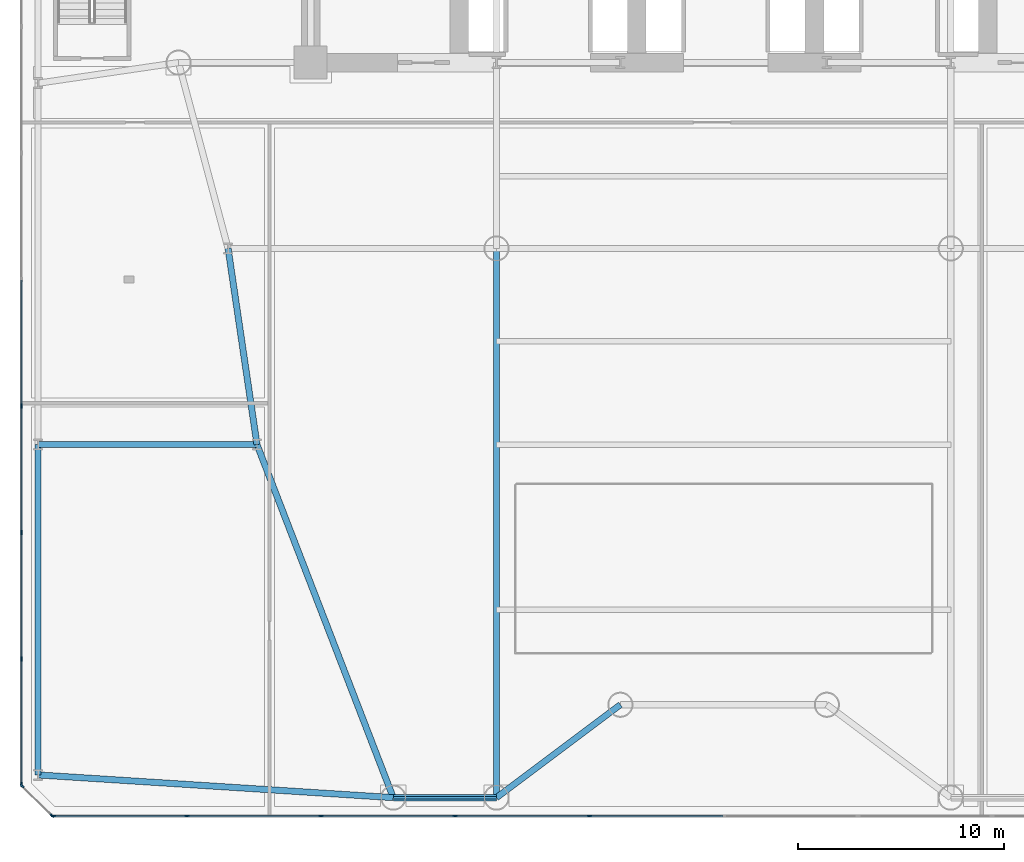
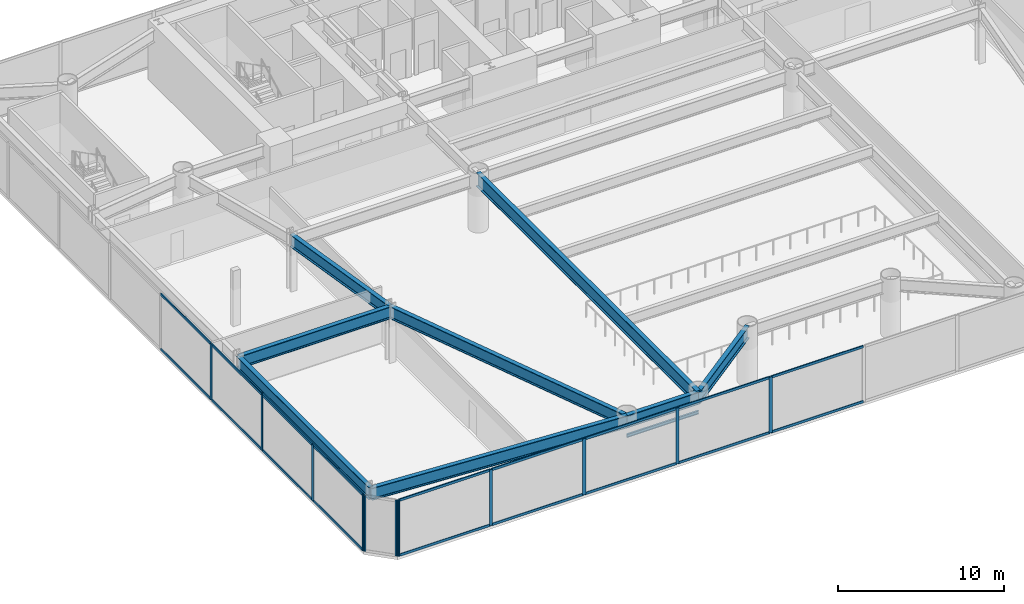
# One storey, part 2 of 24: 29 members, 9 beams, 3 elements without a shape of their own.
"""IFC4 building model written with IfcOpenShell, lengths in metres."""

from ifc_helpers import new_model, si_unit, direction, frame, origin, origin_2d, place, context, subcontext, project, spatial, rectangle, i_section, extrude, source, transform, mapped, material, layer, layer_set, material_profile, profile_set, type_object, element, aggregate, save


model = new_model("IFC4")

# Units and contexts
model_context = context("Model", 3, precision=1e-05, world=origin(), true_north=direction((0.0, 1.0)))
body_context = subcontext(model_context, "Body", "Model", "MODEL_VIEW")
ifc_project = project(units=[si_unit("LENGTHUNIT", "METRE"), si_unit("AREAUNIT", "SQUARE_METRE"), si_unit("VOLUMEUNIT", "CUBIC_METRE"), si_unit("PLANEANGLEUNIT", "RADIAN"), si_unit("MASSUNIT", "GRAM", prefix="KILO")], contexts=[model_context])

# Site, building, storey
site_placement = place(None, origin())
site = spatial("IfcSite", under=ifc_project, at=site_placement, CompositionType="ELEMENT")
building_placement = place(site_placement, origin())
building = spatial("IfcBuilding", under=site, at=building_placement, Name="Vaeldorn Concourse Tower", CompositionType="ELEMENT")
storey_placement = place(building_placement, frame((0.0, 0.0, 5.60009765625)))
storey = spatial("IfcBuildingStorey", under=building, at=storey_placement, Name="L01", CompositionType="ELEMENT", Elevation=5.60009765625)

# Beams
ifc_material_1 = material(Name="Steel S355", Category="steel")
ifc_material_profile_1 = material_profile(ifc_material_1, i_section(OverallWidth=0.302001953125, OverallDepth=0.909912109375, WebThickness=0.02099609375, FlangeThickness=0.0400390625, FilletRadius=0.030029296875, at=origin_2d()), Name="HEM 900")
ifc_profile_set_1 = profile_set([ifc_material_profile_1], Name="Steel S355")
beam_type_1 = type_object("IfcBeamType", Name="BM-PG-HEM900", PredefinedType="BEAM", material=ifc_profile_set_1)
shared_shape_1 = source(origin(), body_context, "Body", "SweptSolid", [
    extrude(i_section(OverallWidth=0.302001953125, OverallDepth=0.909912109375, WebThickness=0.02099609375, FlangeThickness=0.0400390625, FilletRadius=0.030029296875, at=origin_2d()), origin(), (0.0, 0.0, 1.0), 16.0),
])
beam_1_placement = place(storey_placement, frame((0.800048828125, 2.0, 3.664794921875), z_axis=(0.0, 1.0, 0.0), x_axis=(-1.0, 0.0, 0.0)))
element("IfcBeam", 1, at=beam_1_placement, inside=storey, type_object=beam_type_1, Name="Beam BM-L01-C-PW1-C-PW2", PredefinedType="BEAM", context=body_context, shape_type="MappedRepresentation", body=[
    mapped(shared_shape_1, transform((0.0, 0.0, 0.0), scale=1.0)),
])
shared_shape_2 = source(origin(), body_context, "Body", "SweptSolid", [
    extrude(i_section(OverallWidth=0.302001953125, OverallDepth=0.909912109375, WebThickness=0.02099609375, FlangeThickness=0.0400390625, FilletRadius=0.030029296875, at=origin_2d()), origin(), (0.0, 0.0, 1.0), 5.0),
])
beam_2_placement = place(storey_placement, frame((18.0, 0.89990234375, 3.664794921875), z_axis=(1.0, 0.0, 0.0), x_axis=(0.0, 1.0, 0.0)))
element("IfcBeam", 2, at=beam_2_placement, inside=storey, type_object=beam_type_1, Name="Beam BM-L01-C-SM1-C-SM2", PredefinedType="BEAM", context=body_context, shape_type="MappedRepresentation", body=[
    mapped(shared_shape_2, transform((0.0, 0.0, 0.0), scale=1.0)),
])
shared_shape_3 = source(origin(), body_context, "Body", "SweptSolid", [
    extrude(i_section(OverallWidth=0.302001953125, OverallDepth=0.909912109375, WebThickness=0.02099609375, FlangeThickness=0.0400390625, FilletRadius=0.030029296875, at=origin_2d()), origin(), (0.0, 0.0, 1.0), 7.5),
])
beam_3_placement = place(storey_placement, frame((23.0, 0.89990234375, 3.664794921875), z_axis=(0.8, 0.6, 0.0), x_axis=(-0.6, 0.8, 0.0)))
element("IfcBeam", 3, at=beam_3_placement, inside=storey, type_object=beam_type_1, Name="Beam BM-L01-C-SM2-C-SM3", PredefinedType="BEAM", context=body_context, shape_type="MappedRepresentation", body=[
    mapped(shared_shape_3, transform((0.0, 0.0, 0.0), scale=1.0)),
])
shared_shape_4 = source(origin(), body_context, "Body", "SweptSolid", [
    extrude(i_section(OverallWidth=0.302001953125, OverallDepth=0.909912109375, WebThickness=0.02099609375, FlangeThickness=0.0400390625, FilletRadius=0.030029296875, at=origin_2d()), origin(), (0.0, 0.0, 1.0), 17.235107421875),
])
beam_4_placement = place(storey_placement, frame((0.800048828125, 2.0, 3.664794921875), z_axis=(0.997960855094, -0.063828925254, 0.0), x_axis=(0.063828925254, 0.997960855094, 0.0)))
element("IfcBeam", 4, at=beam_4_placement, inside=storey, type_object=beam_type_1, Name="Beam BM-L01-C-PW1-C-SM1", PredefinedType="BEAM", context=body_context, shape_type="MappedRepresentation", body=[
    mapped(shared_shape_4, transform((0.0, 0.0, 0.0), scale=1.0)),
])
shared_shape_5 = source(origin(), body_context, "Body", "SweptSolid", [
    extrude(i_section(OverallWidth=0.302001953125, OverallDepth=0.909912109375, WebThickness=0.02099609375, FlangeThickness=0.0400390625, FilletRadius=0.030029296875, at=origin_2d()), origin(), (0.0, 0.0, 1.0), 9.6025390625),
])
beam_5_placement = place(storey_placement, frame((10.0, 27.5, 3.664794921875), z_axis=(0.145783835977, -0.989316467652, 0.0), x_axis=(0.989316467652, 0.145783835977, 0.0)))
element("IfcBeam", 5, at=beam_5_placement, inside=storey, type_object=beam_type_1, Name="Beam BM-L01-C-FLW1-C-FLW2", PredefinedType="BEAM", context=body_context, shape_type="MappedRepresentation", body=[
    mapped(shared_shape_5, transform((0.0, 0.0, 0.0), scale=1.0)),
])
shared_shape_6 = source(origin(), body_context, "Body", "SweptSolid", [
    extrude(i_section(OverallWidth=0.302001953125, OverallDepth=0.909912109375, WebThickness=0.02099609375, FlangeThickness=0.0400390625, FilletRadius=0.030029296875, at=origin_2d()), origin(), (0.0, 0.0, 1.0), 18.32958984375),
])
beam_6_placement = place(storey_placement, frame((11.39990234375, 18.0, 3.664794921875), z_axis=(0.36007844134, -0.932922031084, 0.0), x_axis=(0.932922031084, 0.36007844134, 0.0)))
element("IfcBeam", 6, at=beam_6_placement, inside=storey, type_object=beam_type_1, Name="Beam BM-L01-C-FLW2-C-SM1", PredefinedType="BEAM", context=body_context, shape_type="MappedRepresentation", body=[
    mapped(shared_shape_6, transform((0.0, 0.0, 0.0), scale=1.0)),
])
ifc_material_2 = material(Name="Steel S460", Category="steel")
ifc_material_profile_2 = material_profile(ifc_material_2, i_section(OverallWidth=0.302001953125, OverallDepth=1.008056640625, WebThickness=0.02099609375, FlangeThickness=0.0400390625, FilletRadius=0.030029296875, at=origin_2d()), Name="HEM 1000")
ifc_profile_set_2 = profile_set([ifc_material_profile_2], Name="Steel S460")
beam_type_2 = type_object("IfcBeamType", Name="BM-TG-HEM1000", PredefinedType="BEAM", material=ifc_profile_set_2)
shared_shape_7 = source(origin(), body_context, "Body", "SweptSolid", [
    extrude(i_section(OverallWidth=0.302001953125, OverallDepth=1.008056640625, WebThickness=0.02099609375, FlangeThickness=0.0400390625, FilletRadius=0.030029296875, at=origin_2d()), origin(), (0.0, 0.0, 1.0), 26.60009765625),
])
beam_7_placement = place(storey_placement, frame((23.0, 0.89990234375, 3.615966796875), z_axis=(0.0, 1.0, 0.0), x_axis=(-1.0, 0.0, 0.0)))
element("IfcBeam", 7, at=beam_7_placement, inside=storey, type_object=beam_type_2, Name="Beam BM-L01-C-SM2-C-TW1", PredefinedType="BEAM", context=body_context, shape_type="MappedRepresentation", body=[
    mapped(shared_shape_7, transform((0.0, 0.0, 0.0), scale=1.0)),
])
shared_shape_8 = source(origin(), body_context, "Body", "SweptSolid", [
    extrude(i_section(OverallWidth=0.302001953125, OverallDepth=0.909912109375, WebThickness=0.02099609375, FlangeThickness=0.0400390625, FilletRadius=0.030029296875, at=origin_2d()), origin(), (0.0, 0.0, 1.0), 10.599853515625),
])
beam_8_placement = place(storey_placement, frame((0.800048828125, 18.0, 3.664794921875), z_axis=(1.0, 0.0, 0.0), x_axis=(0.0, 1.0, 0.0)))
element("IfcBeam", 8, at=beam_8_placement, inside=storey, type_object=beam_type_1, Name="Beam BM-L01-C-PW2-C-FLW2", PredefinedType="BEAM", context=body_context, shape_type="MappedRepresentation", body=[
    mapped(shared_shape_8, transform((0.0, 0.0, 0.0), scale=1.0)),
])
ifc_material_profile_3 = material_profile(ifc_material_1, i_section(OverallWidth=0.1201171875, OverallDepth=0.239990234375, WebThickness=0.006103515625, FlangeThickness=0.009765625, FilletRadius=0.014892578125, at=origin_2d()), Name="IPE 240")
ifc_profile_set_3 = profile_set([ifc_material_profile_3], Name="Steel S355")
beam_type_3 = type_object("IfcBeamType", Name="BM-LN-IPE240", PredefinedType="LINTEL", material=ifc_profile_set_3)
shared_shape_9 = source(origin(), body_context, "Body", "SweptSolid", [
    extrude(i_section(OverallWidth=0.1201171875, OverallDepth=0.239990234375, WebThickness=0.006103515625, FlangeThickness=0.009765625, FilletRadius=0.014892578125, at=origin_2d()), origin(), (0.0, 0.0, 1.0), 5.0),
])
beam_9_placement = place(storey_placement, frame((18.0, 0.89990234375, 2.5498046875), z_axis=(1.0, 0.0, 0.0), x_axis=(0.0, 1.0, 0.0)))
element("IfcBeam", 9, at=beam_9_placement, inside=storey, type_object=beam_type_3, Name="Podium Concourse Transom Lintel L01-1", PredefinedType="LINTEL", context=body_context, shape_type="MappedRepresentation", body=[
    mapped(shared_shape_9, transform((0.0, 0.0, 0.0), scale=1.0)),
])

# Curtain wall, members
ifc_material_3 = material(Name="Anodised Bronze Aluminium", Category="aluminium")
ifc_layer = layer(ifc_material_3, 0.239990234375)
ifc_layer_set = layer_set([ifc_layer], Name="Anodised Bronze Aluminium")
curtain_wall_type = type_object("IfcCurtainWallType", Name="CW-SYS-04", PredefinedType="NOTDEFINED", material=ifc_layer_set)
curtain_wall_1_placement = place(storey_placement, origin())
curtain_wall_1 = element("IfcCurtainWall", 10, at=curtain_wall_1_placement, inside=storey, type_object=curtain_wall_type, Name="Unitised Curtain Wall CW-L01-E01-1", PredefinedType="NOTDEFINED")
ifc_material_profile_4 = material_profile(ifc_material_3, rectangle(XDim=0.074951171875, YDim=0.219970703125, at=origin_2d()), Name="CWM 75x220")
ifc_profile_set_4 = profile_set([ifc_material_profile_4], Name="Anodised Bronze Aluminium")
member_type_1 = type_object("IfcMemberType", Name="CWM-BRONZE-220", PredefinedType="MULLION", material=ifc_profile_set_4)
shared_shape_10 = source(origin(), body_context, "Body", "SweptSolid", [
    extrude(rectangle(XDim=0.074951171875, YDim=0.219970703125, at=origin_2d()), origin(), (0.0, 0.0, 1.0), 4.119873046875),
])
member_1_placement = place(storey_placement, frame((1.53759765625, 0.0, 0.0), z_axis=(0.0, 0.0, 1.0), x_axis=(0.0, 1.0, 0.0)))
member_1 = element("IfcMember", 11, at=member_1_placement, type_object=member_type_1, Name="CW-04 mullion 1", PredefinedType="MULLION", context=body_context, shape_type="MappedRepresentation", body=[
    mapped(shared_shape_10, transform((0.0, 0.0, 0.0), scale=1.0)),
])
member_2_placement = place(storey_placement, frame((8.0, 0.0, 0.0), z_axis=(0.0, 0.0, 1.0), x_axis=(0.0, 1.0, 0.0)))
member_2 = element("IfcMember", 12, at=member_2_placement, type_object=member_type_1, Name="CW-04 mullion 2", PredefinedType="MULLION", context=body_context, shape_type="MappedRepresentation", body=[
    mapped(shared_shape_10, transform((0.0, 0.0, 0.0), scale=1.0)),
])
member_3_placement = place(storey_placement, frame((14.5, 0.0, 0.0), z_axis=(0.0, 0.0, 1.0), x_axis=(0.0, 1.0, 0.0)))
member_3 = element("IfcMember", 13, at=member_3_placement, type_object=member_type_1, Name="CW-04 mullion 3", PredefinedType="MULLION", context=body_context, shape_type="MappedRepresentation", body=[
    mapped(shared_shape_10, transform((0.0, 0.0, 0.0), scale=1.0)),
])
member_4_placement = place(storey_placement, frame((21.0, 0.0, 0.0), z_axis=(0.0, 0.0, 1.0), x_axis=(0.0, 1.0, 0.0)))
member_4 = element("IfcMember", 14, at=member_4_placement, type_object=member_type_1, Name="CW-04 mullion 4", PredefinedType="MULLION", context=body_context, shape_type="MappedRepresentation", body=[
    mapped(shared_shape_10, transform((0.0, 0.0, 0.0), scale=1.0)),
])
member_5_placement = place(storey_placement, frame((27.5, 0.0, 0.0), z_axis=(0.0, 0.0, 1.0), x_axis=(0.0, 1.0, 0.0)))
member_5 = element("IfcMember", 15, at=member_5_placement, type_object=member_type_1, Name="CW-04 mullion 5", PredefinedType="MULLION", context=body_context, shape_type="MappedRepresentation", body=[
    mapped(shared_shape_10, transform((0.0, 0.0, 0.0), scale=1.0)),
])

curtain_wall_2_placement = place(storey_placement, origin())
curtain_wall_2 = element("IfcCurtainWall", 16, at=curtain_wall_2_placement, inside=storey, type_object=curtain_wall_type, Name="Unitised Curtain Wall CW-L01-E07-1", PredefinedType="NOTDEFINED")
member_6_placement = place(storey_placement, frame((0.0, 19.875, 0.0), z_axis=(0.0, 0.0, 1.0), x_axis=(1.0, 0.0, 0.0)))
member_6 = element("IfcMember", 17, at=member_6_placement, type_object=member_type_1, Name="CW-04 mullion 6", PredefinedType="MULLION", context=body_context, shape_type="MappedRepresentation", body=[
    mapped(shared_shape_10, transform((0.0, 0.0, 0.0), scale=1.0)),
])
member_7_placement = place(storey_placement, frame((0.0, 13.75, 0.0), z_axis=(0.0, 0.0, 1.0), x_axis=(1.0, 0.0, 0.0)))
member_7 = element("IfcMember", 18, at=member_7_placement, type_object=member_type_1, Name="CW-04 mullion 7", PredefinedType="MULLION", context=body_context, shape_type="MappedRepresentation", body=[
    mapped(shared_shape_10, transform((0.0, 0.0, 0.0), scale=1.0)),
])
member_8_placement = place(storey_placement, frame((0.0, 7.625, 0.0), z_axis=(0.0, 0.0, 1.0), x_axis=(1.0, 0.0, 0.0)))
member_8 = element("IfcMember", 19, at=member_8_placement, type_object=member_type_1, Name="CW-04 mullion 8", PredefinedType="MULLION", context=body_context, shape_type="MappedRepresentation", body=[
    mapped(shared_shape_10, transform((0.0, 0.0, 0.0), scale=1.0)),
])
member_9_placement = place(storey_placement, frame((0.0, 1.53759765625, 0.0), z_axis=(0.0, 0.0, 1.0), x_axis=(1.0, 0.0, 0.0)))
member_9 = element("IfcMember", 20, at=member_9_placement, type_object=member_type_1, Name="CW-04 mullion 9", PredefinedType="MULLION", context=body_context, shape_type="MappedRepresentation", body=[
    mapped(shared_shape_10, transform((0.0, 0.0, 0.0), scale=1.0)),
])

curtain_wall_3_placement = place(storey_placement, origin())
curtain_wall_3 = element("IfcCurtainWall", 21, at=curtain_wall_3_placement, inside=storey, type_object=curtain_wall_type, Name="Unitised Curtain Wall CW-L01-E08-1", PredefinedType="NOTDEFINED")
member_10_placement = place(storey_placement, frame((0.026611328125, 1.473388671875, 0.0), z_axis=(0.0, 0.0, 1.0), x_axis=(0.707106781187, 0.707106781187, 0.0)))
member_10 = element("IfcMember", 22, at=member_10_placement, type_object=member_type_1, Name="CW-04 mullion 1", PredefinedType="MULLION", context=body_context, shape_type="MappedRepresentation", body=[
    mapped(shared_shape_10, transform((0.0, 0.0, 0.0), scale=1.0)),
])
member_11_placement = place(storey_placement, frame((1.473388671875, 0.026611328125, 0.0), z_axis=(0.0, 0.0, 1.0), x_axis=(0.707106781187, 0.707106781187, 0.0)))
member_11 = element("IfcMember", 23, at=member_11_placement, type_object=member_type_1, Name="CW-04 mullion 2", PredefinedType="MULLION", context=body_context, shape_type="MappedRepresentation", body=[
    mapped(shared_shape_10, transform((0.0, 0.0, 0.0), scale=1.0)),
])
aggregate(curtain_wall_3, [member_10, member_11])

# Member
ifc_material_profile_5 = material_profile(ifc_material_3, rectangle(XDim=0.074951171875, YDim=0.179931640625, at=origin_2d()), Name="CWT 75x180")
ifc_profile_set_5 = profile_set([ifc_material_profile_5], Name="Anodised Bronze Aluminium")
member_type_2 = type_object("IfcMemberType", Name="CWT-BRONZE-180", PredefinedType="USERDEFINED", material=ifc_profile_set_5)
shared_shape_11 = source(origin(), body_context, "Body", "SweptSolid", [
    extrude(rectangle(XDim=0.074951171875, YDim=0.179931640625, at=origin_2d()), origin(), (0.0, 0.0, 1.0), 6.387451171875),
])
member_12_placement = place(storey_placement, frame((1.574951171875, 0.0, 0.037353515625), z_axis=(1.0, 0.0, 0.0), x_axis=(0.0, 1.0, 0.0)))
member_12 = element("IfcMember", 24, at=member_12_placement, type_object=member_type_2, Name="CW-04 transom 1.1", ObjectType="TRANSOM", PredefinedType="USERDEFINED", context=body_context, shape_type="MappedRepresentation", body=[
    mapped(shared_shape_11, transform((0.0, 0.0, 0.0), scale=1.0)),
])

member_13_placement = place(storey_placement, frame((1.574951171875, 0.0, 4.08251953125), z_axis=(1.0, 0.0, 0.0), x_axis=(0.0, 1.0, 0.0)))
member_13 = element("IfcMember", 25, at=member_13_placement, type_object=member_type_2, Name="CW-04 transom 1.2", ObjectType="TRANSOM", PredefinedType="USERDEFINED", context=body_context, shape_type="MappedRepresentation", body=[
    mapped(shared_shape_11, transform((0.0, 0.0, 0.0), scale=1.0)),
])

shared_shape_12 = source(origin(), body_context, "Body", "SweptSolid", [
    extrude(rectangle(XDim=0.074951171875, YDim=0.179931640625, at=origin_2d()), origin(), (0.0, 0.0, 1.0), 6.4248046875),
])
member_14_placement = place(storey_placement, frame((8.03759765625, 0.0, 0.037353515625), z_axis=(1.0, 0.0, 0.0), x_axis=(0.0, 1.0, 0.0)))
member_14 = element("IfcMember", 26, at=member_14_placement, type_object=member_type_2, Name="CW-04 transom 2.1", ObjectType="TRANSOM", PredefinedType="USERDEFINED", context=body_context, shape_type="MappedRepresentation", body=[
    mapped(shared_shape_12, transform((0.0, 0.0, 0.0), scale=1.0)),
])

member_15_placement = place(storey_placement, frame((8.03759765625, 0.0, 4.08251953125), z_axis=(1.0, 0.0, 0.0), x_axis=(0.0, 1.0, 0.0)))
member_15 = element("IfcMember", 27, at=member_15_placement, type_object=member_type_2, Name="CW-04 transom 2.2", ObjectType="TRANSOM", PredefinedType="USERDEFINED", context=body_context, shape_type="MappedRepresentation", body=[
    mapped(shared_shape_12, transform((0.0, 0.0, 0.0), scale=1.0)),
])

member_16_placement = place(storey_placement, frame((14.53759765625, 0.0, 0.037353515625), z_axis=(1.0, 0.0, 0.0), x_axis=(0.0, 1.0, 0.0)))
member_16 = element("IfcMember", 28, at=member_16_placement, type_object=member_type_2, Name="CW-04 transom 3.1", ObjectType="TRANSOM", PredefinedType="USERDEFINED", context=body_context, shape_type="MappedRepresentation", body=[
    mapped(shared_shape_12, transform((0.0, 0.0, 0.0), scale=1.0)),
])

member_17_placement = place(storey_placement, frame((14.53759765625, 0.0, 4.08251953125), z_axis=(1.0, 0.0, 0.0), x_axis=(0.0, 1.0, 0.0)))
member_17 = element("IfcMember", 29, at=member_17_placement, type_object=member_type_2, Name="CW-04 transom 3.2", ObjectType="TRANSOM", PredefinedType="USERDEFINED", context=body_context, shape_type="MappedRepresentation", body=[
    mapped(shared_shape_12, transform((0.0, 0.0, 0.0), scale=1.0)),
])

member_18_placement = place(storey_placement, frame((21.03759765625, 0.0, 0.037353515625), z_axis=(1.0, 0.0, 0.0), x_axis=(0.0, 1.0, 0.0)))
member_18 = element("IfcMember", 30, at=member_18_placement, type_object=member_type_2, Name="CW-04 transom 4.1", ObjectType="TRANSOM", PredefinedType="USERDEFINED", context=body_context, shape_type="MappedRepresentation", body=[
    mapped(shared_shape_12, transform((0.0, 0.0, 0.0), scale=1.0)),
])

member_19_placement = place(storey_placement, frame((21.03759765625, 0.0, 4.08251953125), z_axis=(1.0, 0.0, 0.0), x_axis=(0.0, 1.0, 0.0)))
member_19 = element("IfcMember", 31, at=member_19_placement, type_object=member_type_2, Name="CW-04 transom 4.2", ObjectType="TRANSOM", PredefinedType="USERDEFINED", context=body_context, shape_type="MappedRepresentation", body=[
    mapped(shared_shape_12, transform((0.0, 0.0, 0.0), scale=1.0)),
])

member_20_placement = place(storey_placement, frame((27.53759765625, 0.0, 0.037353515625), z_axis=(1.0, 0.0, 0.0), x_axis=(0.0, 1.0, 0.0)))
member_20 = element("IfcMember", 32, at=member_20_placement, type_object=member_type_2, Name="CW-04 transom 5.1", ObjectType="TRANSOM", PredefinedType="USERDEFINED", context=body_context, shape_type="MappedRepresentation", body=[
    mapped(shared_shape_12, transform((0.0, 0.0, 0.0), scale=1.0)),
])

member_21_placement = place(storey_placement, frame((27.53759765625, 0.0, 4.08251953125), z_axis=(1.0, 0.0, 0.0), x_axis=(0.0, 1.0, 0.0)))
member_21 = element("IfcMember", 33, at=member_21_placement, type_object=member_type_2, Name="CW-04 transom 5.2", ObjectType="TRANSOM", PredefinedType="USERDEFINED", context=body_context, shape_type="MappedRepresentation", body=[
    mapped(shared_shape_12, transform((0.0, 0.0, 0.0), scale=1.0)),
])

aggregate(curtain_wall_1, [member_1, member_2, member_3, member_4, member_5, member_12, member_13, member_14, member_15, member_16, member_17, member_18, member_19, member_20, member_21])

shared_shape_13 = source(origin(), body_context, "Body", "SweptSolid", [
    extrude(rectangle(XDim=0.074951171875, YDim=0.179931640625, at=origin_2d()), origin(), (0.0, 0.0, 1.0), 6.012451171875),
])
member_22_placement = place(storey_placement, frame((0.0, 7.58740234375, 0.037353515625), z_axis=(0.0, -1.0, 0.0), x_axis=(1.0, 0.0, 0.0)))
member_22 = element("IfcMember", 34, at=member_22_placement, type_object=member_type_2, Name="CW-04 transom 8.1", ObjectType="TRANSOM", PredefinedType="USERDEFINED", context=body_context, shape_type="MappedRepresentation", body=[
    mapped(shared_shape_13, transform((0.0, 0.0, 0.0), scale=1.0)),
])

member_23_placement = place(storey_placement, frame((0.0, 7.58740234375, 4.08251953125), z_axis=(0.0, -1.0, 0.0), x_axis=(1.0, 0.0, 0.0)))
member_23 = element("IfcMember", 35, at=member_23_placement, type_object=member_type_2, Name="CW-04 transom 8.2", ObjectType="TRANSOM", PredefinedType="USERDEFINED", context=body_context, shape_type="MappedRepresentation", body=[
    mapped(shared_shape_13, transform((0.0, 0.0, 0.0), scale=1.0)),
])

shared_shape_14 = source(origin(), body_context, "Body", "SweptSolid", [
    extrude(rectangle(XDim=0.074951171875, YDim=0.179931640625, at=origin_2d()), origin(), (0.0, 0.0, 1.0), 6.0498046875),
])
member_24_placement = place(storey_placement, frame((0.0, 25.96240234375, 0.037353515625), z_axis=(0.0, -1.0, 0.0), x_axis=(1.0, 0.0, 0.0)))
member_24 = element("IfcMember", 36, at=member_24_placement, type_object=member_type_2, Name="CW-04 transom 5.1", ObjectType="TRANSOM", PredefinedType="USERDEFINED", context=body_context, shape_type="MappedRepresentation", body=[
    mapped(shared_shape_14, transform((0.0, 0.0, 0.0), scale=1.0)),
])

member_25_placement = place(storey_placement, frame((0.0, 25.96240234375, 4.08251953125), z_axis=(0.0, -1.0, 0.0), x_axis=(1.0, 0.0, 0.0)))
member_25 = element("IfcMember", 37, at=member_25_placement, type_object=member_type_2, Name="CW-04 transom 5.2", ObjectType="TRANSOM", PredefinedType="USERDEFINED", context=body_context, shape_type="MappedRepresentation", body=[
    mapped(shared_shape_14, transform((0.0, 0.0, 0.0), scale=1.0)),
])

member_26_placement = place(storey_placement, frame((0.0, 19.83740234375, 0.037353515625), z_axis=(0.0, -1.0, 0.0), x_axis=(1.0, 0.0, 0.0)))
member_26 = element("IfcMember", 38, at=member_26_placement, type_object=member_type_2, Name="CW-04 transom 6.1", ObjectType="TRANSOM", PredefinedType="USERDEFINED", context=body_context, shape_type="MappedRepresentation", body=[
    mapped(shared_shape_14, transform((0.0, 0.0, 0.0), scale=1.0)),
])

member_27_placement = place(storey_placement, frame((0.0, 19.83740234375, 4.08251953125), z_axis=(0.0, -1.0, 0.0), x_axis=(1.0, 0.0, 0.0)))
member_27 = element("IfcMember", 39, at=member_27_placement, type_object=member_type_2, Name="CW-04 transom 6.2", ObjectType="TRANSOM", PredefinedType="USERDEFINED", context=body_context, shape_type="MappedRepresentation", body=[
    mapped(shared_shape_14, transform((0.0, 0.0, 0.0), scale=1.0)),
])

member_28_placement = place(storey_placement, frame((0.0, 13.71240234375, 0.037353515625), z_axis=(0.0, -1.0, 0.0), x_axis=(1.0, 0.0, 0.0)))
member_28 = element("IfcMember", 40, at=member_28_placement, type_object=member_type_2, Name="CW-04 transom 7.1", ObjectType="TRANSOM", PredefinedType="USERDEFINED", context=body_context, shape_type="MappedRepresentation", body=[
    mapped(shared_shape_14, transform((0.0, 0.0, 0.0), scale=1.0)),
])

member_29_placement = place(storey_placement, frame((0.0, 13.71240234375, 4.08251953125), z_axis=(0.0, -1.0, 0.0), x_axis=(1.0, 0.0, 0.0)))
member_29 = element("IfcMember", 41, at=member_29_placement, type_object=member_type_2, Name="CW-04 transom 7.2", ObjectType="TRANSOM", PredefinedType="USERDEFINED", context=body_context, shape_type="MappedRepresentation", body=[
    mapped(shared_shape_14, transform((0.0, 0.0, 0.0), scale=1.0)),
])

aggregate(curtain_wall_2, [member_6, member_7, member_8, member_9, member_24, member_25, member_26, member_27, member_28, member_29, member_22, member_23])

save(model, "model.ifc")
